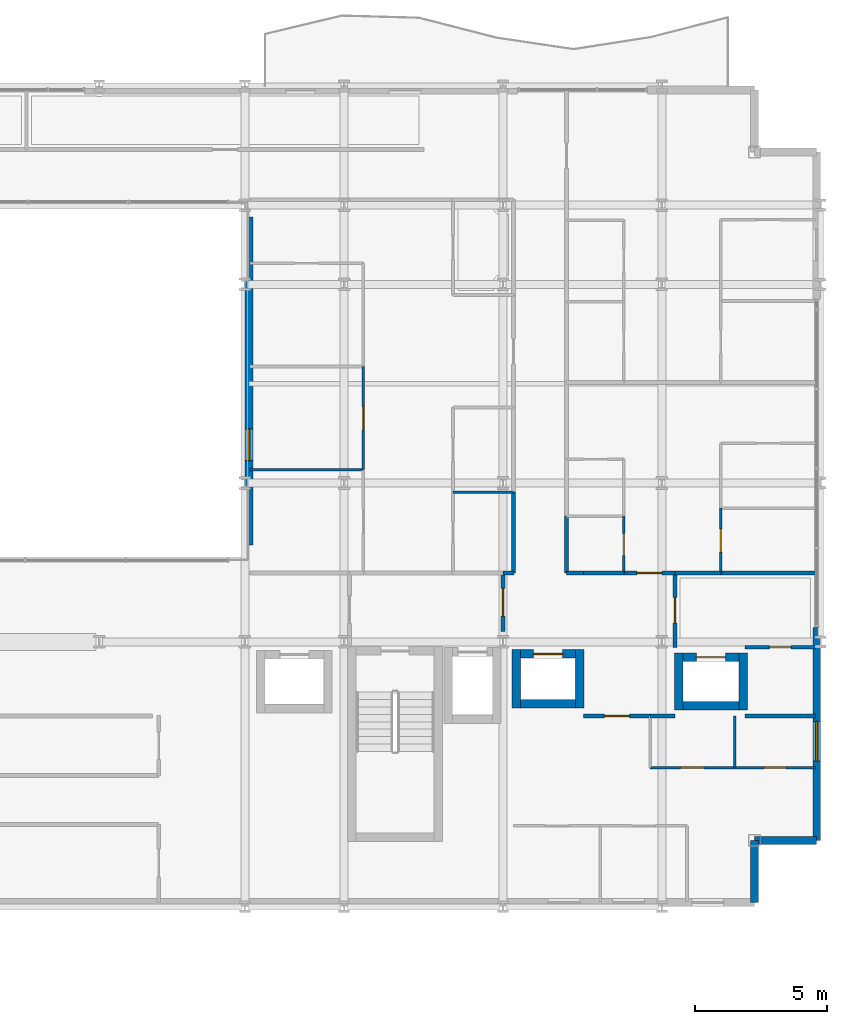
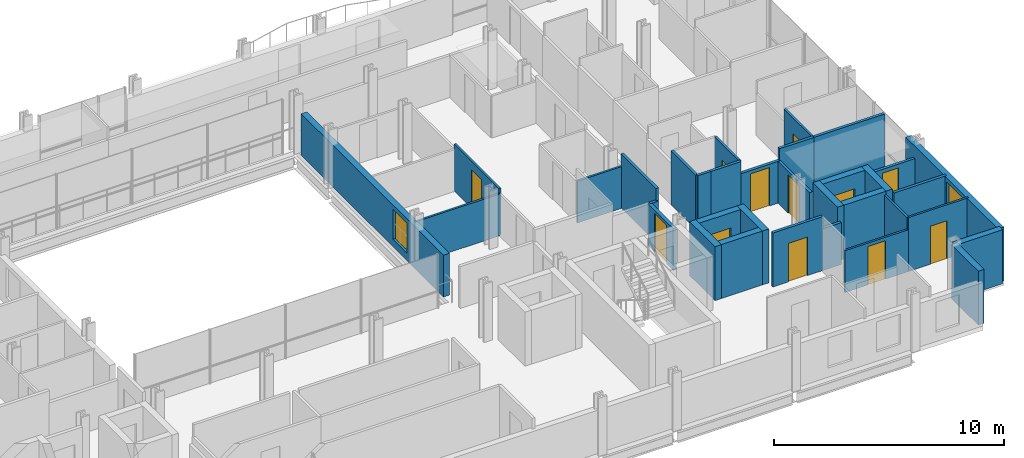
# One storey, part 35 of 41: 34 walls, 12 doors, 2 windows, 14 openings.
"""IFC4 building model written with IfcOpenShell, lengths in metres."""

import ifcopenshell
import ifcopenshell.guid

model = None  # the IFC model being written
_history = None  # IfcOwnerHistory: only IFC2X3 demands one
_inside = {}  # id of a spatial element -> (the spatial element, [elements in it])
_under = {}  # id of a project, library or spatial element -> (it, [spatial elements below it])
_declared = {}  # id of a project -> (the project, [libraries it declares])
_typed = {}  # id of a type object -> (the type object, [elements of that type])
_made_of = {}  # id of a material, layer set ... -> (it, [elements and type objects made of it])


def new_model(schema):
    """Start an empty IFC model of exactly this schema.

    Asked for "IFC4X3", IfcOpenShell would pick the latest addendum, in which some entities
    have other attributes; the version numbers below select the first issue.
    IFC2X3 requires an IfcOwnerHistory on every rooted entity: one is made here for all.
    """
    global model, _history
    if schema == "IFC4X3":
        model = ifcopenshell.file(schema_version=(4, 3, 0, 0))
    else:
        model = ifcopenshell.file(schema=schema)
    _inside.clear()
    _under.clear()
    _declared.clear()
    _typed.clear()
    _made_of.clear()
    _history = None
    if model.schema == "IFC2X3":
        org = make("IfcOrganization", Name="unknown")
        user = make(
            "IfcPersonAndOrganization",
            ThePerson=make("IfcPerson", FamilyName="unknown"),
            TheOrganization=org,
        )
        app = make(
            "IfcApplication",
            ApplicationDeveloper=org,
            Version="unknown",
            ApplicationFullName="unknown",
            ApplicationIdentifier="unknown",
        )
        _history = make(
            "IfcOwnerHistory",
            OwningUser=user,
            OwningApplication=app,
            ChangeAction="ADDED",
            CreationDate=0,
        )
    return model


def make(cls, **values):
    """One entity of the class cls with the attributes given. An attribute that is None is left unset."""
    return model.create_entity(
        cls, **{name: value for name, value in values.items() if value is not None}
    )


def rooted(cls, **values):
    """An entity with a GlobalId (a new one), such as an element, a storey or a relation."""
    return make(cls, GlobalId=ifcopenshell.guid.new(), OwnerHistory=_history, **values)


def si_unit(unit_type, name, prefix=None):
    """IfcSIUnit, for example si_unit("LENGTHUNIT", "METRE", prefix="MILLI")."""
    return make("IfcSIUnit", UnitType=unit_type, Prefix=prefix, Name=name)


def assignment(units):
    """IfcUnitAssignment: the units of a project."""
    return None if units is None else make("IfcUnitAssignment", Units=units)


def point(xyz):
    """IfcCartesianPoint."""
    return None if xyz is None else make("IfcCartesianPoint", Coordinates=xyz)


def direction(xyz):
    """IfcDirection."""
    return None if xyz is None else make("IfcDirection", DirectionRatios=xyz)


def frame(location, z_axis=None, x_axis=None):
    """IfcAxis2Placement3D, a coordinate frame: its origin and axes. An axis left out is left unset."""
    return make(
        "IfcAxis2Placement3D",
        Location=point(location),
        Axis=direction(z_axis),
        RefDirection=direction(x_axis),
    )


def frame_2d(location, x_axis=None):
    """IfcAxis2Placement2D, a coordinate frame in the plane: its origin and x axis."""
    return make(
        "IfcAxis2Placement2D", Location=point(location), RefDirection=direction(x_axis)
    )


def origin():
    """The frame at (0, 0, 0) with its axes left unset."""
    return frame((0.0, 0.0, 0.0))


def place(relative_to, where):
    """IfcLocalPlacement: puts the frame where relative to a parent placement (None: the world)."""
    return make(
        "IfcLocalPlacement", PlacementRelTo=relative_to, RelativePlacement=where
    )


def context(
    kind, dimensions, precision=None, world=None, true_north=None, identifier=None
):
    """IfcGeometricRepresentationContext, for example the 3D "Model" context."""
    return make(
        "IfcGeometricRepresentationContext",
        ContextIdentifier=identifier,
        ContextType=kind,
        CoordinateSpaceDimension=dimensions,
        Precision=precision,
        WorldCoordinateSystem=world,
        TrueNorth=true_north,
    )


def subcontext(parent, identifier, kind, view, scale=None):
    """IfcGeometricRepresentationSubContext, for example "Body" below "Model"."""
    return make(
        "IfcGeometricRepresentationSubContext",
        ContextIdentifier=identifier,
        ContextType=kind,
        ParentContext=parent,
        TargetScale=scale,
        TargetView=view,
    )


def project(units=None, contexts=None):
    """IfcProject with its units and contexts."""
    return rooted(
        "IfcProject",
        Name="project",
        RepresentationContexts=contexts,
        UnitsInContext=assignment(units),
    )


def spatial(cls, under=None, at=None, **own):
    """A site, building, storey or space (cls), placed at a placement, below another one or the project."""
    s = rooted(cls, ObjectPlacement=at, **own)
    if under is not None:
        _under.setdefault(under.id(), (under, []))[1].append(s)
    return s


def profile(cls, at=None, kind="AREA", **sizes):
    """A parametric profile (cls). Its sizes go by their IFC names, for example OverallWidth=200.0."""
    return make(cls, ProfileType=kind, Position=at, **sizes)


def rectangle(**sizes):
    """IfcRectangleProfileDef."""
    return profile("IfcRectangleProfileDef", **sizes)


def extrude(swept, where, along, depth):
    """IfcExtrudedAreaSolid: the profile swept, set in the frame where, extruded along a direction by depth."""
    return make(
        "IfcExtrudedAreaSolid",
        SweptArea=swept,
        Position=where,
        ExtrudedDirection=direction(along),
        Depth=depth,
    )


def shape(context_of_items, identifier, shape_type, items):
    """IfcShapeRepresentation: the items that make up one representation, for example the "Body"."""
    return make(
        "IfcShapeRepresentation",
        ContextOfItems=context_of_items,
        RepresentationIdentifier=identifier,
        RepresentationType=shape_type,
        Items=items,
    )


def material(Name=None, Category=None):
    """IfcMaterial."""
    return make("IfcMaterial", Name=Name, Category=Category)


def layer(
    of_material, thickness, ventilated=None, Name=None, Category=None, Priority=None
):
    """IfcMaterialLayer: one layer of a wall or slab, of a material (None: an air gap)."""
    return make(
        "IfcMaterialLayer",
        Material=of_material,
        LayerThickness=thickness,
        IsVentilated=ventilated,
        Name=Name,
        Category=Category,
        Priority=Priority,
    )


def layer_set(layers, Name=None):
    """IfcMaterialLayerSet."""
    return make("IfcMaterialLayerSet", MaterialLayers=layers, LayerSetName=Name)


def made_of(thing, what):
    """Note that an element or type object is made of a material, layer set ...; save() writes the relation."""
    if what is not None:
        _made_of.setdefault(what.id(), (what, []))[1].append(thing)
    return thing


def type_object(cls, material=None, **own):
    """A type object (cls), such as IfcWallType, which elements share."""
    return made_of(rooted(cls, **own), material)


def element(
    cls,
    number,
    at=None,
    inside=None,
    cuts=None,
    type_object=None,
    material=None,
    context=None,
    identifier="Body",
    shape_type=None,
    held_by="IfcProductDefinitionShape",
    body=None,
    shapes=None,
    **own,
):
    """One element of the class cls, such as IfcWall. Its Tag is "e" and its number.

    at: its placement. inside: the storey or other place that contains it. cuts: it is an
    opening in that element (IfcRelVoidsElement). A single representation is given by context,
    identifier, shape_type and body (its items); several are given by shapes. held_by: the class
    of the entity that holds the representations. save() writes the other relations.
    """
    e = rooted(cls, Tag="e%d" % number, ObjectPlacement=at, **own)
    if body is not None:
        shapes = [shape(context, identifier, shape_type, body)]
    if shapes is not None:
        e.Representation = make(held_by, Representations=shapes)
    if inside is not None:
        _inside.setdefault(inside.id(), (inside, []))[1].append(e)
    if cuts is not None:
        rooted(
            "IfcRelVoidsElement", RelatingBuildingElement=cuts, RelatedOpeningElement=e
        )
    if type_object is not None:
        _typed.setdefault(type_object.id(), (type_object, []))[1].append(e)
    return made_of(e, material)


def fill(opening, filler):
    """IfcRelFillsElement: the door or window that sits in an opening."""
    return rooted(
        "IfcRelFillsElement",
        RelatingOpeningElement=opening,
        RelatedBuildingElement=filler,
    )


def aggregate(whole, parts):
    """IfcRelAggregates: a whole, such as a stair, and the parts it consists of."""
    return rooted("IfcRelAggregates", RelatingObject=whole, RelatedObjects=parts)


def save(model, path):
    """Write the relations noted so far, then the file.

    IfcRelAggregates (storeys below a building ...), IfcRelContainedInSpatialStructure (elements
    in a storey), IfcRelDefinesByType, IfcRelAssociatesMaterial and IfcRelDeclares: one each for
    every whole, place, type object, material and project.
    """
    for whole, parts in _under.values():
        aggregate(whole, parts)
    for where, things in _inside.values():
        rooted(
            "IfcRelContainedInSpatialStructure",
            RelatedElements=things,
            RelatingStructure=where,
        )
    for kind, things in _typed.values():
        rooted("IfcRelDefinesByType", RelatedObjects=things, RelatingType=kind)
    for what, things in _made_of.values():
        rooted("IfcRelAssociatesMaterial", RelatedObjects=things, RelatingMaterial=what)
    for by, libraries in _declared.values():
        rooted("IfcRelDeclares", RelatingContext=by, RelatedDefinitions=libraries)
    model.write(path)


model = new_model("IFC4")

# Units and contexts
model_context = context("Model", 3, precision=1e-05, world=origin(), true_north=direction((0.0, 1.0)))
body_context = subcontext(model_context, "Body", "Model", "MODEL_VIEW")
ifc_project = project(units=[si_unit("LENGTHUNIT", "METRE"), si_unit("AREAUNIT", "SQUARE_METRE"), si_unit("VOLUMEUNIT", "CUBIC_METRE"), si_unit("PLANEANGLEUNIT", "RADIAN"), si_unit("MASSUNIT", "GRAM", prefix="KILO")], contexts=[model_context])

# Site, building, storey
site_placement = place(None, origin())
site = spatial("IfcSite", under=ifc_project, at=site_placement, CompositionType="ELEMENT")
building_placement = place(site_placement, origin())
building = spatial("IfcBuilding", under=site, at=building_placement, Name="Brevholm Reach", CompositionType="ELEMENT")
storey_placement = place(building_placement, frame((0.0, 0.0, 43.5)))
storey = spatial("IfcBuildingStorey", under=building, at=storey_placement, Name="L11", CompositionType="ELEMENT", Elevation=43.5)

# Walls
ifc_material_1 = material(Name="Concrete C60/75", Category="concrete")
ifc_layer_1 = layer(ifc_material_1, 0.320068359375)
ifc_layer_set_1 = layer_set([ifc_layer_1], Name="Concrete C60/75")
wall_type_1 = type_object("IfcWallType", Name="WAL-COR-320", PredefinedType="SHEAR", material=ifc_layer_set_1)
for number, where, z_axis, x_axis, name in (
    (1, (48.5048828125, 7.4951171875, 0.0), (0.0, 0.0, 1.0), (0.0, 1.0, 0.0), "L11 Lift PL-L1 Shaft Wall W"),
    (2, (50.89501953125, 7.4951171875, 0.0), (0.0, 0.0, 1.0), (0.0, 1.0, 0.0), "L11 Lift PL-L1 Shaft Wall E"),
):
    element("IfcWall", number, at=place(storey_placement, frame(where, z_axis=z_axis, x_axis=x_axis)), inside=storey, type_object=wall_type_1, Name=name, PredefinedType="SHEAR", context=body_context, shape_type="SweptSolid", body=[
        extrude(rectangle(XDim=2.2099609375, YDim=0.320068359375, at=frame_2d((1.10498046875, 0.0))), origin(), (0.0, 0.0, 1.0), 2.8701171875),
    ])
wall_1_placement = place(storey_placement, frame((48.6650390625, 7.655029296875, 0.0), z_axis=(0.0, 0.0, 1.0), x_axis=(1.0, 0.0, 0.0)))
element("IfcWall", 3, at=wall_1_placement, inside=storey, type_object=wall_type_1, Name="L11 Lift PL-L1 Shaft Wall S", PredefinedType="SHEAR", context=body_context, shape_type="SweptSolid", body=[
    extrude(rectangle(XDim=2.070068359375, YDim=0.320068359375, at=frame_2d((1.03515625, 0.0))), origin(), (0.0, 0.0, 1.0), 2.8701171875),
])

# Wall, opening, door
wall_2_placement = place(storey_placement, frame((48.6650390625, 9.544921875, 0.0), z_axis=(0.0, 0.0, 1.0), x_axis=(1.0, 0.0, 0.0)))
wall_2 = element("IfcWall", 4, at=wall_2_placement, inside=storey, type_object=wall_type_1, Name="L11 Lift PL-L1 Shaft Wall N", PredefinedType="SHEAR", context=body_context, shape_type="SweptSolid", body=[
    extrude(rectangle(XDim=2.070068359375, YDim=0.320068359375, at=frame_2d((1.03515625, 0.0))), origin(), (0.0, 0.0, 1.0), 2.8701171875),
])
opening_1_placement = place(wall_2_placement, frame((0.485107421875, 0.0, 0.0)))
opening_1 = element("IfcOpeningElement", 5, at=opening_1_placement, cuts=wall_2, Name="Opening LD-PL-L1", PredefinedType="OPENING", context=body_context, shape_type="SweptSolid", body=[
    extrude(rectangle(XDim=1.10009765625, YDim=2.06005859375, at=frame_2d((0.550048828125, 1.030029296875))), frame((0.0, 0.169921875, 0.0), z_axis=(0.0, -1.0, 0.0), x_axis=(1.0, 0.0, 0.0)), (0.0, 0.0, 1.0), 0.340087890625),
])
ifc_material_2 = material(Name="Brushed Stainless Steel Fire-Rated Sliding Lift Door", Category="steel")
door_type_1 = type_object("IfcDoorType", Name="DOR-LFT-1100", OperationType="NOTDEFINED", PredefinedType="DOOR", material=ifc_material_2)
door_1_placement = place(opening_1_placement, origin())
door_1 = element("IfcDoor", 6, at=door_1_placement, inside=storey, type_object=door_type_1, Name="L11 Lift PL-L1 Sliding Landing Door", OperationType="SLIDING_TO_LEFT", OverallHeight=2.06005859375, OverallWidth=1.10009765625, PredefinedType="DOOR", context=body_context, shape_type="SweptSolid", body=[
    extrude(rectangle(XDim=1.10009765625, YDim=2.06005859375, at=frame_2d((0.550048828125, 1.030029296875))), frame((0.0, 0.02490234375, 0.0), z_axis=(0.0, -1.0, 0.0), x_axis=(1.0, 0.0, 0.0)), (0.0, 0.0, 1.0), 0.050048828125),
])
fill(opening_1, door_1)

# Walls
for number, where, z_axis, x_axis, name in (
    (7, (54.6298828125, 7.419921875, 0.0), (0.0, 0.0, 1.0), (0.0, 1.0, 0.0), "L11 Lift PL-L2 Shaft Wall W"),
    (8, (57.070068359375, 7.419921875, 0.0), (0.0, 0.0, 1.0), (0.0, 1.0, 0.0), "L11 Lift PL-L2 Shaft Wall E"),
):
    element("IfcWall", number, at=place(storey_placement, frame(where, z_axis=z_axis, x_axis=x_axis)), inside=storey, type_object=wall_type_1, Name=name, PredefinedType="SHEAR", context=body_context, shape_type="SweptSolid", body=[
        extrude(rectangle(XDim=2.16015625, YDim=0.320068359375, at=frame_2d((1.080078125, 0.0))), origin(), (0.0, 0.0, 1.0), 2.8701171875),
    ])
wall_3_placement = place(storey_placement, frame((54.7900390625, 7.580078125, 0.0), z_axis=(0.0, 0.0, 1.0), x_axis=(1.0, 0.0, 0.0)))
element("IfcWall", 9, at=wall_3_placement, inside=storey, type_object=wall_type_1, Name="L11 Lift PL-L2 Shaft Wall S", PredefinedType="SHEAR", context=body_context, shape_type="SweptSolid", body=[
    extrude(rectangle(XDim=2.119873046875, YDim=0.320068359375, at=frame_2d((1.06005859375, 0.0))), origin(), (0.0, 0.0, 1.0), 2.8701171875),
])

# Wall, opening, door
wall_4_placement = place(storey_placement, frame((54.7900390625, 9.419921875, 0.0), z_axis=(0.0, 0.0, 1.0), x_axis=(1.0, 0.0, 0.0)))
wall_4 = element("IfcWall", 10, at=wall_4_placement, inside=storey, type_object=wall_type_1, Name="L11 Lift PL-L2 Shaft Wall N", PredefinedType="SHEAR", context=body_context, shape_type="SweptSolid", body=[
    extrude(rectangle(XDim=2.119873046875, YDim=0.320068359375, at=frame_2d((1.06005859375, 0.0))), origin(), (0.0, 0.0, 1.0), 2.8701171875),
])
opening_2_placement = place(wall_4_placement, frame((0.510009765625, 0.0, 0.0)))
opening_2 = element("IfcOpeningElement", 11, at=opening_2_placement, cuts=wall_4, Name="Opening LD-PL-L2", PredefinedType="OPENING", context=body_context, shape_type="SweptSolid", body=[
    extrude(rectangle(XDim=1.10009765625, YDim=2.06005859375, at=frame_2d((0.550048828125, 1.030029296875))), frame((0.0, 0.169921875, 0.0), z_axis=(0.0, -1.0, 0.0), x_axis=(1.0, 0.0, 0.0)), (0.0, 0.0, 1.0), 0.340087890625),
])
door_2_placement = place(opening_2_placement, origin())
door_2 = element("IfcDoor", 12, at=door_2_placement, inside=storey, type_object=door_type_1, Name="L11 Lift PL-L2 Sliding Landing Door", OperationType="SLIDING_TO_RIGHT", OverallHeight=2.06005859375, OverallWidth=1.10009765625, PredefinedType="DOOR", context=body_context, shape_type="SweptSolid", body=[
    extrude(rectangle(XDim=1.10009765625, YDim=2.06005859375, at=frame_2d((0.550048828125, 1.030029296875))), frame((0.0, 0.02490234375, 0.0), z_axis=(0.0, -1.0, 0.0), x_axis=(1.0, 0.0, 0.0)), (0.0, 0.0, 1.0), 0.050048828125),
])
fill(opening_2, door_2)

# Walls
ifc_material_3 = material(Name="Concrete C40/50", Category="concrete")
ifc_layer_2 = layer(ifc_material_3, 0.300048828125)
ifc_layer_set_2 = layer_set([ifc_layer_2], Name="Concrete C40/50")
wall_type_2 = type_object("IfcWallType", Name="WAL-EXT-300", PredefinedType="STANDARD", material=ifc_layer_set_2)
for number, where, z_axis, x_axis, name in (
    (13, (57.5, 0.14990234375, 0.0), (0.0, 0.0, 1.0), (0.0, 1.0, 0.0), "L11 Facade Wall WAL-L11-CSE1"),
    (14, (57.5, 2.5, 0.0), (0.0, 0.0, 1.0), (1.0, 0.0, 0.0), "L11 Facade Wall WAL-L11-CSE2"),
):
    element("IfcWall", number, at=place(storey_placement, frame(where, z_axis=z_axis, x_axis=x_axis)), inside=storey, type_object=wall_type_2, Name=name, PredefinedType="STANDARD", context=body_context, shape_type="SweptSolid", body=[
        extrude(rectangle(XDim=2.35009765625, YDim=0.300048828125, at=frame_2d((1.175048828125, 0.0))), origin(), (0.0, 0.0, 1.0), 2.8701171875),
    ])

# Wall, opening, window
wall_5_placement = place(storey_placement, frame((59.85009765625, 2.5, 0.0), z_axis=(0.0, 0.0, 1.0), x_axis=(0.0, 1.0, 0.0)))
wall_5 = element("IfcWall", 15, at=wall_5_placement, inside=storey, type_object=wall_type_2, Name="L11 Facade Wall WAL-L11-E-S", PredefinedType="STANDARD", context=body_context, shape_type="SweptSolid", body=[
    extrude(rectangle(XDim=8.050048828125, YDim=0.300048828125, at=frame_2d((4.02490234375, 0.0))), origin(), (0.0, 0.0, 1.0), 2.8701171875),
])
opening_3_placement = place(wall_5_placement, frame((3.0, 0.0, 0.85009765625)))
opening_3 = element("IfcOpeningElement", 16, at=opening_3_placement, cuts=wall_5, Name="Opening WN-05", PredefinedType="OPENING", context=body_context, shape_type="SweptSolid", body=[
    extrude(rectangle(XDim=1.5, YDim=1.800048828125, at=frame_2d((0.75, 0.89990234375))), frame((0.0, 0.159912109375, 0.0), z_axis=(0.0, -1.0, 0.0), x_axis=(1.0, 0.0, 0.0)), (0.0, 0.0, 1.0), 0.320068359375),
])
ifc_material_4 = material(Name="Dark Anodised Aluminium and Solar-Control IGU Glass", Category="aluminium")
window_type_1 = type_object("IfcWindowType", Name="WIN-RES-1500", PartitioningType="SINGLE_PANEL", PredefinedType="WINDOW", material=ifc_material_4)
window_1_placement = place(opening_3_placement, origin())
window_1 = element("IfcWindow", 17, at=window_1_placement, inside=storey, type_object=window_type_1, Name="L11 Window WIN-L11-ES-1", OverallHeight=1.800048828125, OverallWidth=1.5, PartitioningType="SINGLE_PANEL", PredefinedType="WINDOW", context=body_context, shape_type="SweptSolid", body=[
    extrude(rectangle(XDim=1.5, YDim=1.800048828125, at=frame_2d((0.75, 0.89990234375))), frame((0.0, 0.030029296875, 0.0), z_axis=(0.0, -1.0, 0.0), x_axis=(1.0, 0.0, 0.0)), (0.0, 0.0, 1.0), 0.06005859375),
])
fill(opening_3, window_1)

wall_6_placement = place(storey_placement, frame((38.39990234375, 13.64990234375, 0.0), z_axis=(0.0, 0.0, 1.0), x_axis=(0.0, 1.0, 0.0)))
wall_6 = element("IfcWall", 18, at=wall_6_placement, inside=storey, type_object=wall_type_2, Name="L11 Facade Wall WAL-L11-AT-E", PredefinedType="STANDARD", context=body_context, shape_type="SweptSolid", body=[
    extrude(rectangle(XDim=12.400146484375, YDim=0.300048828125, at=frame_2d((6.2001953125, 0.0))), origin(), (0.0, 0.0, 1.0), 2.224853515625),
])
opening_4_placement = place(wall_6_placement, frame((3.199951171875, 0.0, 0.405029296875)))
opening_4 = element("IfcOpeningElement", 19, at=opening_4_placement, cuts=wall_6, Name="Opening WN-08", PredefinedType="OPENING", context=body_context, shape_type="SweptSolid", body=[
    extrude(rectangle(XDim=1.199951171875, YDim=1.60009765625, at=frame_2d((0.60009765625, 0.800048828125))), frame((0.0, 0.159912109375, 0.0), z_axis=(0.0, -1.0, 0.0), x_axis=(1.0, 0.0, 0.0)), (0.0, 0.0, 1.0), 0.320068359375),
])
ifc_material_5 = material(Name="Dark Anodised Aluminium and Solar-Control IGU Glass", Category="aluminium")
window_type_2 = type_object("IfcWindowType", Name="WIN-RES-1200", PartitioningType="SINGLE_PANEL", PredefinedType="WINDOW", material=ifc_material_5)
window_2_placement = place(opening_4_placement, origin())
window_2 = element("IfcWindow", 20, at=window_2_placement, inside=storey, type_object=window_type_2, Name="L11 Window WIN-L11-AT-E1", OverallHeight=1.60009765625, OverallWidth=1.199951171875, PartitioningType="SINGLE_PANEL", PredefinedType="WINDOW", context=body_context, shape_type="SweptSolid", body=[
    extrude(rectangle(XDim=1.199951171875, YDim=1.60009765625, at=frame_2d((0.60009765625, 0.800048828125))), frame((0.0, 0.030029296875, 0.0), z_axis=(0.0, -1.0, 0.0), x_axis=(1.0, 0.0, 0.0)), (0.0, 0.0, 1.0), 0.06005859375),
])
fill(opening_4, window_2)

# Wall
ifc_material_6 = material(Name="Moisture-Resistant Acoustic Gypsum Stud Partition 100 mm", Category="gypsum")
ifc_layer_3 = layer(ifc_material_6, 0.10009765625)
ifc_layer_set_3 = layer_set([ifc_layer_3], Name="Moisture-Resistant Acoustic Gypsum Stud Partition 100 mm")
wall_type_3 = type_object("IfcWallType", Name="WAL-PRT-100", PredefinedType="PARTITIONING", material=ifc_layer_set_3)
wall_7_placement = place(storey_placement, frame((56.75, 5.25, 0.0), z_axis=(0.0, 0.0, 1.0), x_axis=(0.0, 1.0, 0.0)))
element("IfcWall", 21, at=wall_7_placement, inside=storey, type_object=wall_type_3, Name="L11 Internal Partition 085", PredefinedType="PARTITIONING", context=body_context, shape_type="SweptSolid", body=[
    extrude(rectangle(XDim=1.949951171875, YDim=0.10009765625, at=frame_2d((0.97509765625, 0.0))), origin(), (0.0, 0.0, 1.0), 2.8701171875),
])

# Wall, opening, door
wall_8_placement = place(storey_placement, frame((56.75, 5.25, 0.0), z_axis=(0.0, 0.0, 1.0), x_axis=(1.0, 0.0, 0.0)))
wall_8 = element("IfcWall", 22, at=wall_8_placement, inside=storey, type_object=wall_type_3, Name="L11 Internal Partition 086", PredefinedType="PARTITIONING", context=body_context, shape_type="SweptSolid", body=[
    extrude(rectangle(XDim=3.050048828125, YDim=0.10009765625, at=frame_2d((1.52490234375, 0.0))), origin(), (0.0, 0.0, 1.0), 2.8701171875),
])
opening_5_placement = place(wall_8_placement, frame((1.114990234375, 0.0, 0.0)))
opening_5 = element("IfcOpeningElement", 23, at=opening_5_placement, cuts=wall_8, Name="Opening ID-03", PredefinedType="OPENING", context=body_context, shape_type="SweptSolid", body=[
    extrude(rectangle(XDim=0.820068359375, YDim=2.02001953125, at=frame_2d((0.41015625, 1.010009765625))), frame((0.0, 0.06005859375, 0.0), z_axis=(0.0, -1.0, 0.0), x_axis=(1.0, 0.0, 0.0)), (0.0, 0.0, 1.0), 0.1201171875),
])
ifc_material_7 = material(Name="Moisture-Resistant Painted Timber Internal Bathroom Door", Category="wood")
door_type_2 = type_object("IfcDoorType", Name="DOR-BATH-820", OperationType="NOTDEFINED", PredefinedType="DOOR", material=ifc_material_7)
door_3_placement = place(opening_5_placement, origin())
door_3 = element("IfcDoor", 24, at=door_3_placement, inside=storey, type_object=door_type_2, Name="L11 Internal Door 030", OperationType="SINGLE_SWING_LEFT", OverallHeight=2.02001953125, OverallWidth=0.820068359375, PredefinedType="DOOR", context=body_context, shape_type="SweptSolid", body=[
    extrude(rectangle(XDim=0.820068359375, YDim=2.02001953125, at=frame_2d((0.41015625, 1.010009765625))), frame((0.0, 0.02490234375, 0.0), z_axis=(0.0, -1.0, 0.0), x_axis=(1.0, 0.0, 0.0)), (0.0, 0.0, 1.0), 0.050048828125),
])
fill(opening_5, door_3)

wall_9_placement = place(storey_placement, frame((53.55810546875, 5.25, 0.0), z_axis=(0.0, 0.0, 1.0), x_axis=(1.0, 0.0, 0.0)))
wall_9 = element("IfcWall", 25, at=wall_9_placement, inside=storey, type_object=wall_type_3, Name="L11 Internal Partition 087", PredefinedType="PARTITIONING", context=body_context, shape_type="SweptSolid", body=[
    extrude(rectangle(XDim=3.18798828125, YDim=0.10009765625, at=frame_2d((1.593994140625, 0.0))), origin(), (0.0, 0.0, 1.0), 2.224853515625),
])
opening_6_placement = place(wall_9_placement, frame((1.154052734375, 0.0, 0.0)))
opening_6 = element("IfcOpeningElement", 26, at=opening_6_placement, cuts=wall_9, Name="Opening ID-01", PredefinedType="OPENING", context=body_context, shape_type="SweptSolid", body=[
    extrude(rectangle(XDim=0.8798828125, YDim=2.0400390625, at=frame_2d((0.43994140625, 1.02001953125))), frame((0.0, 0.06005859375, 0.0), z_axis=(0.0, -1.0, 0.0), x_axis=(1.0, 0.0, 0.0)), (0.0, 0.0, 1.0), 0.1201171875),
])
ifc_material_8 = material(Name="Lacquered Ash Solid-Core Acoustic Internal Door", Category="timber")
door_type_3 = type_object("IfcDoorType", Name="DOR-INT-880", OperationType="NOTDEFINED", PredefinedType="DOOR", material=ifc_material_8)
door_4_placement = place(opening_6_placement, origin())
door_4 = element("IfcDoor", 27, at=door_4_placement, inside=storey, type_object=door_type_3, Name="L11 Internal Door 031", OperationType="SINGLE_SWING_RIGHT", OverallHeight=2.0400390625, OverallWidth=0.8798828125, PredefinedType="DOOR", context=body_context, shape_type="SweptSolid", body=[
    extrude(rectangle(XDim=0.8798828125, YDim=2.0400390625, at=frame_2d((0.43994140625, 1.02001953125))), frame((0.0, 0.02490234375, 0.0), z_axis=(0.0, -1.0, 0.0), x_axis=(1.0, 0.0, 0.0)), (0.0, 0.0, 1.0), 0.050048828125),
])
fill(opening_6, door_4)

# Walls
wall_10_placement = place(storey_placement, frame((46.112060546875, 15.64990234375, 0.0), z_axis=(0.0, 0.0, 1.0), x_axis=(1.0, 0.0, 0.0)))
element("IfcWall", 28, at=wall_10_placement, inside=storey, type_object=wall_type_3, Name="L11 Internal Partition 128", PredefinedType="PARTITIONING", context=body_context, shape_type="SweptSolid", body=[
    extrude(rectangle(XDim=2.283935546875, YDim=0.10009765625, at=frame_2d((1.14208984375, 0.0))), origin(), (0.0, 0.0, 1.0), 2.224853515625),
])
wall_11_placement = place(storey_placement, frame((38.449951171875, 16.5, 0.0), z_axis=(0.0, 0.0, 1.0), x_axis=(1.0, 0.0, 0.0)))
element("IfcWall", 29, at=wall_11_placement, inside=storey, type_object=wall_type_3, Name="L11 Internal Partition 134", PredefinedType="PARTITIONING", context=body_context, shape_type="SweptSolid", body=[
    extrude(rectangle(XDim=4.278076171875, YDim=0.10009765625, at=frame_2d((2.13916015625, 0.0))), origin(), (0.0, 0.0, 1.0), 2.224853515625),
])

# Wall, opening, door
wall_12_placement = place(storey_placement, frame((42.72802734375, 16.50390625, 0.0), z_axis=(0.0, 0.0, 1.0), x_axis=(0.0, 1.0, 0.0)))
wall_12 = element("IfcWall", 30, at=wall_12_placement, inside=storey, type_object=wall_type_3, Name="L11 Internal Partition 137", PredefinedType="PARTITIONING", context=body_context, shape_type="SweptSolid", body=[
    extrude(rectangle(XDim=3.89599609375, YDim=0.10009765625, at=frame_2d((1.947998046875, 0.0))), origin(), (0.0, 0.0, 1.0), 2.489990234375),
])
opening_7_placement = place(wall_12_placement, frame((1.508056640625, 0.0, 0.0)))
opening_7 = element("IfcOpeningElement", 31, at=opening_7_placement, cuts=wall_12, Name="Opening ID-01", PredefinedType="OPENING", context=body_context, shape_type="SweptSolid", body=[
    extrude(rectangle(XDim=0.8798828125, YDim=2.0400390625, at=frame_2d((0.43994140625, 1.02001953125))), frame((0.0, 0.06005859375, 0.0), z_axis=(0.0, -1.0, 0.0), x_axis=(1.0, 0.0, 0.0)), (0.0, 0.0, 1.0), 0.1201171875),
])
door_5_placement = place(opening_7_placement, origin())
door_5 = element("IfcDoor", 32, at=door_5_placement, inside=storey, type_object=door_type_3, Name="L11 Internal Door 053", OperationType="SINGLE_SWING_RIGHT", OverallHeight=2.0400390625, OverallWidth=0.8798828125, PredefinedType="DOOR", context=body_context, shape_type="SweptSolid", body=[
    extrude(rectangle(XDim=0.8798828125, YDim=2.0400390625, at=frame_2d((0.43994140625, 1.02001953125))), frame((0.0, 0.02490234375, 0.0), z_axis=(0.0, -1.0, 0.0), x_axis=(1.0, 0.0, 0.0)), (0.0, 0.0, 1.0), 0.050048828125),
])
fill(opening_7, door_5)

wall_13_placement = place(storey_placement, frame((52.56201171875, 12.60400390625, 0.0), z_axis=(0.0, 0.0, 1.0), x_axis=(0.0, 1.0, 0.0)))
wall_13 = element("IfcWall", 33, at=wall_13_placement, inside=storey, type_object=wall_type_3, Name="L11 Internal Partition 141", PredefinedType="PARTITIONING", context=body_context, shape_type="SweptSolid", body=[
    extrude(rectangle(XDim=2.14599609375, YDim=0.10009765625, at=frame_2d((1.072998046875, 0.0))), origin(), (0.0, 0.0, 1.0), 2.8701171875),
])
opening_8_placement = place(wall_13_placement, frame((0.6630859375, 0.0, 0.0)))
opening_8 = element("IfcOpeningElement", 34, at=opening_8_placement, cuts=wall_13, Name="Opening ID-03", PredefinedType="OPENING", context=body_context, shape_type="SweptSolid", body=[
    extrude(rectangle(XDim=0.820068359375, YDim=2.02001953125, at=frame_2d((0.41015625, 1.010009765625))), frame((0.0, 0.06005859375, 0.0), z_axis=(0.0, -1.0, 0.0), x_axis=(1.0, 0.0, 0.0)), (0.0, 0.0, 1.0), 0.1201171875),
])
door_6_placement = place(opening_8_placement, origin())
door_6 = element("IfcDoor", 35, at=door_6_placement, inside=storey, type_object=door_type_2, Name="L11 Internal Door 055", OperationType="SINGLE_SWING_RIGHT", OverallHeight=2.02001953125, OverallWidth=0.820068359375, PredefinedType="DOOR", context=body_context, shape_type="SweptSolid", body=[
    extrude(rectangle(XDim=0.820068359375, YDim=2.02001953125, at=frame_2d((0.41015625, 1.010009765625))), frame((0.0, 0.02490234375, 0.0), z_axis=(0.0, -1.0, 0.0), x_axis=(1.0, 0.0, 0.0)), (0.0, 0.0, 1.0), 0.050048828125),
])
fill(opening_8, door_6)

wall_14_placement = place(storey_placement, frame((56.22802734375, 12.60400390625, 0.0), z_axis=(0.0, 0.0, 1.0), x_axis=(0.0, 1.0, 0.0)))
wall_14 = element("IfcWall", 36, at=wall_14_placement, inside=storey, type_object=wall_type_3, Name="L11 Internal Partition 145", PredefinedType="PARTITIONING", context=body_context, shape_type="SweptSolid", body=[
    extrude(rectangle(XDim=2.446044921875, YDim=0.10009765625, at=frame_2d((1.22314453125, 0.0))), origin(), (0.0, 0.0, 1.0), 2.8701171875),
])
opening_9_placement = place(wall_14_placement, frame((0.782958984375, 0.0, 0.0)))
opening_9 = element("IfcOpeningElement", 37, at=opening_9_placement, cuts=wall_14, Name="Opening ID-01", PredefinedType="OPENING", context=body_context, shape_type="SweptSolid", body=[
    extrude(rectangle(XDim=0.8798828125, YDim=2.0400390625, at=frame_2d((0.43994140625, 1.02001953125))), frame((0.0, 0.06005859375, 0.0), z_axis=(0.0, -1.0, 0.0), x_axis=(1.0, 0.0, 0.0)), (0.0, 0.0, 1.0), 0.1201171875),
])
door_7_placement = place(opening_9_placement, origin())
door_7 = element("IfcDoor", 38, at=door_7_placement, inside=storey, type_object=door_type_3, Name="L11 Internal Door 057", OperationType="SINGLE_SWING_RIGHT", OverallHeight=2.0400390625, OverallWidth=0.8798828125, PredefinedType="DOOR", context=body_context, shape_type="SweptSolid", body=[
    extrude(rectangle(XDim=0.8798828125, YDim=2.0400390625, at=frame_2d((0.43994140625, 1.02001953125))), frame((0.0, 0.02490234375, 0.0), z_axis=(0.0, -1.0, 0.0), x_axis=(1.0, 0.0, 0.0)), (0.0, 0.0, 1.0), 0.050048828125),
])
fill(opening_9, door_7)

ifc_material_9 = material(Name="Twin-Stud Acoustic Fire-Rated Gypsum Partition 140 mm", Category="gypsum")
ifc_layer_4 = layer(ifc_material_9, 0.139892578125)
ifc_layer_set_4 = layer_set([ifc_layer_4], Name="Twin-Stud Acoustic Fire-Rated Gypsum Partition 140 mm")
wall_type_4 = type_object("IfcWallType", Name="WAL-PRT-140", PredefinedType="PARTITIONING", material=ifc_layer_set_4)
wall_15_placement = place(storey_placement, frame((54.5, 9.788818359375, 0.0), z_axis=(0.0, 0.0, 1.0), x_axis=(0.0, 1.0, 0.0)))
wall_15 = element("IfcWall", 39, at=wall_15_placement, inside=storey, type_object=wall_type_4, Name="L11 Internal Partition 013", PredefinedType="PARTITIONING", context=body_context, shape_type="SweptSolid", body=[
    extrude(rectangle(XDim=2.811279296875, YDim=0.139892578125, at=frame_2d((1.40576171875, 0.0))), origin(), (0.0, 0.0, 1.0), 2.224853515625),
])
opening_10_placement = place(wall_15_placement, frame((0.9306640625, 0.0, 0.0)))
opening_10 = element("IfcOpeningElement", 40, at=opening_10_placement, cuts=wall_15, Name="Opening ID-30", PredefinedType="OPENING", context=body_context, shape_type="SweptSolid", body=[
    extrude(rectangle(XDim=0.949951171875, YDim=2.050048828125, at=frame_2d((0.47509765625, 1.02490234375))), frame((0.0, 0.079833984375, 0.0), z_axis=(0.0, -1.0, 0.0), x_axis=(1.0, 0.0, 0.0)), (0.0, 0.0, 1.0), 0.159912109375),
])
ifc_material_10 = material(Name="European Oak Veneered Solid-Core Fire Entrance Door", Category="timber")
door_type_4 = type_object("IfcDoorType", Name="DOR-FLT-FD30S", OperationType="NOTDEFINED", PredefinedType="DOOR", material=ifc_material_10)
door_8_placement = place(opening_10_placement, origin())
door_8 = element("IfcDoor", 41, at=door_8_placement, inside=storey, type_object=door_type_4, Name="L11 Internal Door 008", OperationType="SINGLE_SWING_LEFT", OverallHeight=2.050048828125, OverallWidth=0.949951171875, PredefinedType="DOOR", context=body_context, shape_type="SweptSolid", body=[
    extrude(rectangle(XDim=0.949951171875, YDim=2.050048828125, at=frame_2d((0.47509765625, 1.02490234375))), frame((0.0, 0.02490234375, 0.0), z_axis=(0.0, -1.0, 0.0), x_axis=(1.0, 0.0, 0.0)), (0.0, 0.0, 1.0), 0.050048828125),
])
fill(opening_10, door_8)

# Wall
wall_16_placement = place(storey_placement, frame((53.546630859375, 7.199951171875, 0.0), z_axis=(0.0, 0.0, 1.0), x_axis=(1.0, 0.0, 0.0)))
element("IfcWall", 42, at=wall_16_placement, inside=storey, type_object=wall_type_4, Name="L11 Internal Partition 014", PredefinedType="PARTITIONING", context=body_context, shape_type="SweptSolid", body=[
    extrude(rectangle(XDim=0.953369140625, YDim=0.139892578125, at=frame_2d((0.4765625, 0.0))), origin(), (0.0, 0.0, 1.0), 2.224853515625),
])

# Wall, opening, door
wall_17_placement = place(storey_placement, frame((51.050048828125, 7.199951171875, 0.0), z_axis=(0.0, 0.0, 1.0), x_axis=(1.0, 0.0, 0.0)))
wall_17 = element("IfcWall", 43, at=wall_17_placement, inside=storey, type_object=wall_type_4, Name="L11 Internal Partition 015", PredefinedType="PARTITIONING", context=body_context, shape_type="SweptSolid", body=[
    extrude(rectangle(XDim=2.51513671875, YDim=0.139892578125, at=frame_2d((1.257568359375, 0.0))), origin(), (0.0, 0.0, 1.0), 2.8701171875),
])
opening_11_placement = place(wall_17_placement, frame((0.78271484375, 0.0, 0.0)))
opening_11 = element("IfcOpeningElement", 44, at=opening_11_placement, cuts=wall_17, Name="Opening ID-30", PredefinedType="OPENING", context=body_context, shape_type="SweptSolid", body=[
    extrude(rectangle(XDim=0.949951171875, YDim=2.050048828125, at=frame_2d((0.47509765625, 1.02490234375))), frame((0.0, 0.079833984375, 0.0), z_axis=(0.0, -1.0, 0.0), x_axis=(1.0, 0.0, 0.0)), (0.0, 0.0, 1.0), 0.159912109375),
])
door_9_placement = place(opening_11_placement, origin())
door_9 = element("IfcDoor", 45, at=door_9_placement, inside=storey, type_object=door_type_4, Name="L11 Internal Door 009", OperationType="SINGLE_SWING_RIGHT", OverallHeight=2.050048828125, OverallWidth=0.949951171875, PredefinedType="DOOR", context=body_context, shape_type="SweptSolid", body=[
    extrude(rectangle(XDim=0.949951171875, YDim=2.050048828125, at=frame_2d((0.47509765625, 1.02490234375))), frame((0.0, 0.02490234375, 0.0), z_axis=(0.0, -1.0, 0.0), x_axis=(1.0, 0.0, 0.0)), (0.0, 0.0, 1.0), 0.050048828125),
])
fill(opening_11, door_9)

# Wall
wall_18_placement = place(storey_placement, frame((51.050048828125, 12.60009765625, 0.0), z_axis=(0.0, 0.0, 1.0), x_axis=(1.0, 0.0, 0.0)))
element("IfcWall", 46, at=wall_18_placement, inside=storey, type_object=wall_type_4, Name="L11 Internal Partition 016", PredefinedType="PARTITIONING", context=body_context, shape_type="SweptSolid", body=[
    extrude(rectangle(XDim=1.523193359375, YDim=0.139892578125, at=frame_2d((0.76171875, 0.0))), origin(), (0.0, 0.0, 1.0), 2.8701171875),
])

# Wall, opening, door
wall_19_placement = place(storey_placement, frame((52.5546875, 12.60009765625, 0.0), z_axis=(0.0, 0.0, 1.0), x_axis=(1.0, 0.0, 0.0)))
wall_19 = element("IfcWall", 47, at=wall_19_placement, inside=storey, type_object=wall_type_4, Name="L11 Internal Partition 017", PredefinedType="PARTITIONING", context=body_context, shape_type="SweptSolid", body=[
    extrude(rectangle(XDim=1.9453125, YDim=0.139892578125, at=frame_2d((0.97265625, 0.0))), origin(), (0.0, 0.0, 1.0), 2.224853515625),
])
opening_12_placement = place(wall_19_placement, frame((0.497802734375, 0.0, 0.0)))
opening_12 = element("IfcOpeningElement", 48, at=opening_12_placement, cuts=wall_19, Name="Opening ID-30", PredefinedType="OPENING", context=body_context, shape_type="SweptSolid", body=[
    extrude(rectangle(XDim=0.949951171875, YDim=2.050048828125, at=frame_2d((0.47509765625, 1.02490234375))), frame((0.0, 0.079833984375, 0.0), z_axis=(0.0, -1.0, 0.0), x_axis=(1.0, 0.0, 0.0)), (0.0, 0.0, 1.0), 0.159912109375),
])
door_10_placement = place(opening_12_placement, origin())
door_10 = element("IfcDoor", 49, at=door_10_placement, inside=storey, type_object=door_type_4, Name="L11 Internal Door 010", OperationType="SINGLE_SWING_LEFT", OverallHeight=2.050048828125, OverallWidth=0.949951171875, PredefinedType="DOOR", context=body_context, shape_type="SweptSolid", body=[
    extrude(rectangle(XDim=0.949951171875, YDim=2.050048828125, at=frame_2d((0.47509765625, 1.02490234375))), frame((0.0, 0.02490234375, 0.0), z_axis=(0.0, -1.0, 0.0), x_axis=(1.0, 0.0, 0.0)), (0.0, 0.0, 1.0), 0.050048828125),
])
fill(opening_12, door_10)

# Walls
wall_20_placement = place(storey_placement, frame((48.00390625, 12.60009765625, 0.0), z_axis=(0.0, 0.0, 1.0), x_axis=(1.0, 0.0, 0.0)))
element("IfcWall", 50, at=wall_20_placement, inside=storey, type_object=wall_type_4, Name="L11 Internal Partition 036", PredefinedType="PARTITIONING", context=body_context, shape_type="SweptSolid", body=[
    extrude(rectangle(XDim=0.4033203125, YDim=0.139892578125, at=frame_2d((0.20166015625, 0.0))), origin(), (0.0, 0.0, 1.0), 2.224853515625),
])
wall_21_placement = place(storey_placement, frame((50.392578125, 12.60009765625, 0.0), z_axis=(0.0, 0.0, 1.0), x_axis=(1.0, 0.0, 0.0)))
element("IfcWall", 51, at=wall_21_placement, inside=storey, type_object=wall_type_4, Name="L11 Internal Partition 037", PredefinedType="PARTITIONING", context=body_context, shape_type="SweptSolid", body=[
    extrude(rectangle(XDim=0.6533203125, YDim=0.139892578125, at=frame_2d((0.32666015625, 0.0))), origin(), (0.0, 0.0, 1.0), 2.8701171875),
])
wall_22_placement = place(storey_placement, frame((48.39990234375, 12.60400390625, 0.0), z_axis=(0.0, 0.0, 1.0), x_axis=(0.0, 1.0, 0.0)))
element("IfcWall", 52, at=wall_22_placement, inside=storey, type_object=wall_type_4, Name="L11 Internal Partition 050", PredefinedType="PARTITIONING", context=body_context, shape_type="SweptSolid", body=[
    extrude(rectangle(XDim=3.057373046875, YDim=0.139892578125, at=frame_2d((1.52880859375, 0.0))), origin(), (0.0, 0.0, 1.0), 2.8701171875),
])
wall_23_placement = place(storey_placement, frame((50.39990234375, 12.60400390625, 0.0), z_axis=(0.0, 0.0, 1.0), x_axis=(0.0, 1.0, 0.0)))
element("IfcWall", 53, at=wall_23_placement, inside=storey, type_object=wall_type_4, Name="L11 Internal Partition 054", PredefinedType="PARTITIONING", context=body_context, shape_type="SweptSolid", body=[
    extrude(rectangle(XDim=2.1572265625, YDim=0.139892578125, at=frame_2d((1.07861328125, 0.0))), origin(), (0.0, 0.0, 1.0), 2.8701171875),
])

# Wall, opening, door
wall_24_placement = place(storey_placement, frame((57.138671875, 9.800048828125, 0.0), z_axis=(0.0, 0.0, 1.0), x_axis=(1.0, 0.0, 0.0)))
wall_24 = element("IfcWall", 54, at=wall_24_placement, inside=storey, type_object=wall_type_4, Name="L11 Internal Partition 081", PredefinedType="PARTITIONING", context=body_context, shape_type="SweptSolid", body=[
    extrude(rectangle(XDim=2.661376953125, YDim=0.139892578125, at=frame_2d((1.33056640625, 0.0))), origin(), (0.0, 0.0, 1.0), 2.224853515625),
])
opening_13_placement = place(wall_24_placement, frame((0.920654296875, 0.0, 0.0)))
opening_13 = element("IfcOpeningElement", 55, at=opening_13_placement, cuts=wall_24, Name="Opening ID-02", PredefinedType="OPENING", context=body_context, shape_type="SweptSolid", body=[
    extrude(rectangle(XDim=0.820068359375, YDim=2.02001953125, at=frame_2d((0.41015625, 1.010009765625))), frame((0.0, 0.079833984375, 0.0), z_axis=(0.0, -1.0, 0.0), x_axis=(1.0, 0.0, 0.0)), (0.0, 0.0, 1.0), 0.159912109375),
])
ifc_material_11 = material(Name="Moisture-Resistant Painted Timber Fire-Rated Riser and Service Door", Category="wood")
door_type_5 = type_object("IfcDoorType", Name="DOR-SRV-820", OperationType="NOTDEFINED", PredefinedType="DOOR", material=ifc_material_11)
door_11_placement = place(opening_13_placement, origin())
door_11 = element("IfcDoor", 56, at=door_11_placement, inside=storey, type_object=door_type_5, Name="L11 Access Door 063", OperationType="SINGLE_SWING_RIGHT", OverallHeight=2.02001953125, OverallWidth=0.820068359375, PredefinedType="DOOR", context=body_context, shape_type="SweptSolid", body=[
    extrude(rectangle(XDim=0.820068359375, YDim=2.02001953125, at=frame_2d((0.41015625, 1.010009765625))), frame((0.0, 0.02490234375, 0.0), z_axis=(0.0, -1.0, 0.0), x_axis=(1.0, 0.0, 0.0)), (0.0, 0.0, 1.0), 0.050048828125),
])
fill(opening_13, door_11)

# Walls
wall_25_placement = place(storey_placement, frame((56.216796875, 12.60009765625, 0.0), z_axis=(0.0, 0.0, 1.0), x_axis=(1.0, 0.0, 0.0)))
element("IfcWall", 57, at=wall_25_placement, inside=storey, type_object=wall_type_4, Name="L11 Internal Partition 082", PredefinedType="PARTITIONING", context=body_context, shape_type="SweptSolid", body=[
    extrude(rectangle(XDim=3.583251953125, YDim=0.139892578125, at=frame_2d((1.79150390625, 0.0))), origin(), (0.0, 0.0, 1.0), 2.8701171875),
])
wall_26_placement = place(storey_placement, frame((54.50390625, 12.60009765625, 0.0), z_axis=(0.0, 0.0, 1.0), x_axis=(1.0, 0.0, 0.0)))
element("IfcWall", 58, at=wall_26_placement, inside=storey, type_object=wall_type_4, Name="L11 Internal Partition 083", PredefinedType="PARTITIONING", context=body_context, shape_type="SweptSolid", body=[
    extrude(rectangle(XDim=1.7314453125, YDim=0.139892578125, at=frame_2d((0.86572265625, 0.0))), origin(), (0.0, 0.0, 1.0), 2.8701171875),
])
wall_27_placement = place(storey_placement, frame((57.14990234375, 7.199951171875, 0.0), z_axis=(0.0, 0.0, 1.0), x_axis=(1.0, 0.0, 0.0)))
element("IfcWall", 59, at=wall_27_placement, inside=storey, type_object=wall_type_4, Name="L11 Internal Partition 084", PredefinedType="PARTITIONING", context=body_context, shape_type="SweptSolid", body=[
    extrude(rectangle(XDim=2.650146484375, YDim=0.139892578125, at=frame_2d((1.3251953125, 0.0))), origin(), (0.0, 0.0, 1.0), 2.8701171875),
])

# Wall, opening, door
ifc_material_12 = material(Name="Twin-Frame Fire-Rated Gypsum Board and Mineral Wool 160 mm", Category="gypsum")
ifc_layer_5 = layer(ifc_material_12, 0.159912109375)
ifc_layer_set_5 = layer_set([ifc_layer_5], Name="Twin-Frame Fire-Rated Gypsum Board and Mineral Wool 160 mm")
wall_type_5 = type_object("IfcWallType", Name="WAL-PRT-160", PredefinedType="PARTITIONING", material=ifc_layer_set_5)
wall_28_placement = place(storey_placement, frame((48.0, 10.388671875, 0.0), z_axis=(0.0, 0.0, 1.0), x_axis=(0.0, 1.0, 0.0)))
wall_28 = element("IfcWall", 60, at=wall_28_placement, inside=storey, type_object=wall_type_5, Name="L11 Internal Partition 025", PredefinedType="PARTITIONING", context=body_context, shape_type="SweptSolid", body=[
    extrude(rectangle(XDim=2.21142578125, YDim=0.159912109375, at=frame_2d((1.105712890625, 0.0))), origin(), (0.0, 0.0, 1.0), 2.224853515625),
])
opening_14_placement = place(wall_28_placement, frame((0.58056640625, 0.0, 0.0)))
opening_14 = element("IfcOpeningElement", 61, at=opening_14_placement, cuts=wall_28, Name="Opening FD-01", PredefinedType="OPENING", context=body_context, shape_type="SweptSolid", body=[
    extrude(rectangle(XDim=1.050048828125, YDim=2.06005859375, at=frame_2d((0.52490234375, 1.030029296875))), frame((0.0, 0.08984375, 0.0), z_axis=(0.0, -1.0, 0.0), x_axis=(1.0, 0.0, 0.0)), (0.0, 0.0, 1.0), 0.179931640625),
])
ifc_material_13 = material(Name="Hardwood-Lipped Steel-Core Fire and Smoke Door", Category="steel")
door_type_6 = type_object("IfcDoorType", Name="DOR-INT-FD60S", OperationType="NOTDEFINED", PredefinedType="DOOR", material=ifc_material_13)
door_12_placement = place(opening_14_placement, origin())
door_12 = element("IfcDoor", 62, at=door_12_placement, inside=storey, type_object=door_type_6, Name="L11 Internal Door 014", OperationType="SINGLE_SWING_LEFT", OverallHeight=2.06005859375, OverallWidth=1.050048828125, PredefinedType="DOOR", context=body_context, shape_type="SweptSolid", body=[
    extrude(rectangle(XDim=1.050048828125, YDim=2.06005859375, at=frame_2d((0.52490234375, 1.030029296875))), frame((0.0, 0.02490234375, 0.0), z_axis=(0.0, -1.0, 0.0), x_axis=(1.0, 0.0, 0.0)), (0.0, 0.0, 1.0), 0.050048828125),
])
fill(opening_14, door_12)

save(model, "model.ifc")
